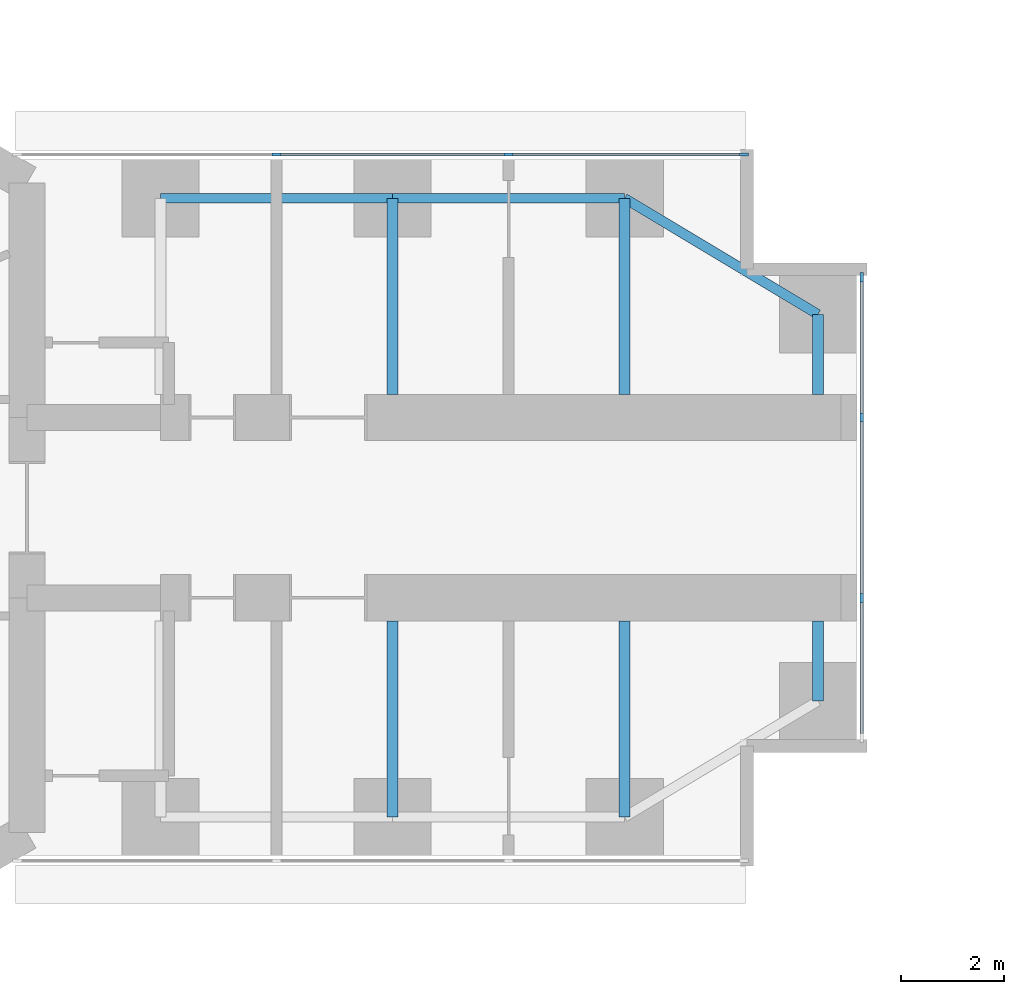
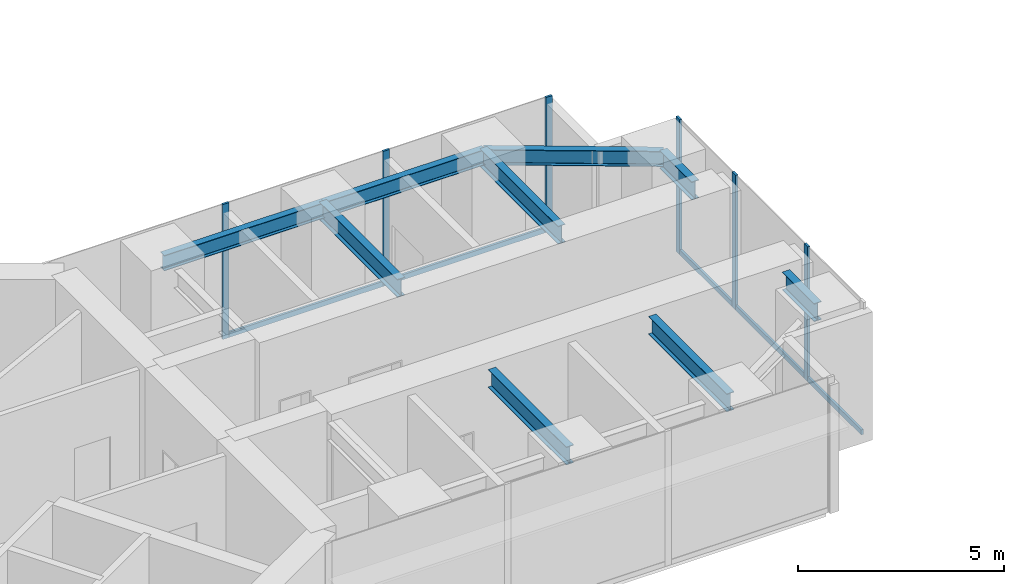
# One storey, part 8 of 22: 11 members, 9 beams, 2 elements without a shape of their own.
"""IFC4 building model written with IfcOpenShell, lengths in metres."""

from ifc_helpers import new_model, si_unit, direction, frame, origin, origin_2d, place, context, subcontext, project, spatial, rectangle, i_section, extrude, material, material_profile, profile_set, type_object, element, aggregate, save


model = new_model("IFC4")

# Units and contexts
model_context = context("Model", 3, precision=1e-05, world=origin(), true_north=direction((0.0, 1.0)))
body_context = subcontext(model_context, "Body", "Model", "MODEL_VIEW")
ifc_project = project(units=[si_unit("LENGTHUNIT", "METRE"), si_unit("AREAUNIT", "SQUARE_METRE"), si_unit("VOLUMEUNIT", "CUBIC_METRE"), si_unit("PLANEANGLEUNIT", "RADIAN"), si_unit("MASSUNIT", "GRAM", prefix="KILO")], contexts=[model_context])

# Site, building, storey
site_placement = place(None, origin())
site = spatial("IfcSite", under=ifc_project, at=site_placement, CompositionType="ELEMENT")
building_placement = place(site_placement, origin())
building = spatial("IfcBuilding", under=site, at=building_placement, Name="Upepo Twin Towers", CompositionType="ELEMENT")
storey_placement = place(building_placement, frame((0.0, 0.0, 36.5)))
storey = spatial("IfcBuildingStorey", under=building, at=storey_placement, Name="L08", CompositionType="ELEMENT", Elevation=36.5)

# Beams
ifc_material_1 = material(Name="Steel S355", Category="steel")
ifc_material_profile_1 = material_profile(ifc_material_1, i_section(OverallWidth=0.1904296875, OverallDepth=0.45703125, WebThickness=0.009033203125, FlangeThickness=0.014404296875, FilletRadius=0.01025390625, at=origin_2d()), Name="UB 457x191x74")
ifc_profile_set_1 = profile_set([ifc_material_profile_1], Name="Steel S355")
beam_type_1 = type_object("IfcBeamType", Name="Beam UB 457x191x74", PredefinedType="BEAM", material=ifc_profile_set_1)
for number, where, z_axis, x_axis, name in (
    (1, (13.5, 6.0, 3.571533203125), (1.0, 0.0, 0.0), (0.0, 1.0, 0.0), "T1 edge beam AL 13.5-18.0"),
    (2, (18.0, 6.0, 3.571533203125), (1.0, 0.0, 0.0), (0.0, 1.0, 0.0), "T1 edge beam AL 18.0-22.5"),
):
    element("IfcBeam", number, at=place(storey_placement, frame(where, z_axis=z_axis, x_axis=x_axis)), inside=storey, type_object=beam_type_1, Name=name, PredefinedType="BEAM", context=body_context, shape_type="SweptSolid", body=[
        extrude(i_section(OverallWidth=0.1904296875, OverallDepth=0.45703125, WebThickness=0.009033203125, FlangeThickness=0.014404296875, FilletRadius=0.01025390625, at=origin_2d()), origin(), (0.0, 0.0, 1.0), 4.5),
    ])
beam_placement = place(storey_placement, frame((22.5, 6.0, 3.571533203125), z_axis=(0.857492925713, -0.514495755428, 0.0), x_axis=(0.514495755428, 0.857492925713, 0.0)))
element("IfcBeam", 3, at=beam_placement, inside=storey, type_object=beam_type_1, Name="T1 nose edge beam AL", PredefinedType="BEAM", context=body_context, shape_type="SweptSolid", body=[
    extrude(i_section(OverallWidth=0.1904296875, OverallDepth=0.45703125, WebThickness=0.009033203125, FlangeThickness=0.014404296875, FilletRadius=0.01025390625, at=origin_2d()), origin(), (0.0, 0.0, 1.0), 4.373291015625),
])
ifc_material_2 = material(Name="Steel S355", Category="steel")
ifc_material_profile_2 = material_profile(ifc_material_2, i_section(OverallWidth=0.2099609375, OverallDepth=0.53662109375, WebThickness=0.0107421875, FlangeThickness=0.017333984375, FilletRadius=0.0126953125, at=origin_2d()), Name="UB 533x210x101")
ifc_profile_set_2 = profile_set([ifc_material_profile_2], Name="Steel S355")
beam_type_2 = type_object("IfcBeamType", Name="Beam UB 533x210x101", PredefinedType="BEAM", material=ifc_profile_set_2)
for number, where, z_axis, x_axis, name in (
    (4, (26.25, 3.75, 3.53173828125), (0.0, -1.0, 0.0), (1.0, 0.0, 0.0), "T1 nose beam AL"),
    (5, (26.25, -3.75, 3.53173828125), (0.0, 1.0, 0.0), (-1.0, 0.0, 0.0), "T1 nose beam AR"),
):
    element("IfcBeam", number, at=place(storey_placement, frame(where, z_axis=z_axis, x_axis=x_axis)), inside=storey, type_object=beam_type_2, Name=name, PredefinedType="BEAM", context=body_context, shape_type="SweptSolid", body=[
        extrude(i_section(OverallWidth=0.2099609375, OverallDepth=0.53662109375, WebThickness=0.0107421875, FlangeThickness=0.017333984375, FilletRadius=0.0126953125, at=origin_2d()), origin(), (0.0, 0.0, 1.0), 1.550048828125),
    ])
ifc_material_3 = material(Name="Steel S355", Category="steel")
ifc_material_profile_3 = material_profile(ifc_material_3, i_section(OverallWidth=0.209228515625, OverallDepth=0.533203125, WebThickness=0.010009765625, FlangeThickness=0.015625, FilletRadius=0.0126953125, at=origin_2d()), Name="UB 533x210x92")
ifc_profile_set_3 = profile_set([ifc_material_profile_3], Name="Steel S355")
beam_type_3 = type_object("IfcBeamType", Name="Beam UB 533x210x92", PredefinedType="BEAM", material=ifc_profile_set_3)
for number, where, z_axis, x_axis, name in (
    (6, (18.0, 6.0, 3.533447265625), (0.0, -1.0, 0.0), (1.0, 0.0, 0.0), "T1 girder AL at 18.0"),
    (7, (22.5, 6.0, 3.533447265625), (0.0, -1.0, 0.0), (1.0, 0.0, 0.0), "T1 girder AL at 22.5"),
    (8, (18.0, -6.0, 3.533447265625), (0.0, 1.0, 0.0), (-1.0, 0.0, 0.0), "T1 girder AR at 18.0"),
    (9, (22.5, -6.0, 3.533447265625), (0.0, 1.0, 0.0), (-1.0, 0.0, 0.0), "T1 girder AR at 22.5"),
):
    element("IfcBeam", number, at=place(storey_placement, frame(where, z_axis=z_axis, x_axis=x_axis)), inside=storey, type_object=beam_type_3, Name=name, PredefinedType="BEAM", context=body_context, shape_type="SweptSolid", body=[
        extrude(i_section(OverallWidth=0.209228515625, OverallDepth=0.533203125, WebThickness=0.010009765625, FlangeThickness=0.015625, FilletRadius=0.0126953125, at=origin_2d()), origin(), (0.0, 0.0, 1.0), 3.800048828125),
    ])

# Curtain wall, members
ifc_material_4 = material(Name="Aluminium and fritted glass", Category="aluminium")
curtain_wall_type = type_object("IfcCurtainWallType", Name="Tower curtain wall TW1, fritted glass", PredefinedType="NOTDEFINED", material=ifc_material_4)
curtain_wall_1_placement = place(storey_placement, origin())
curtain_wall_1 = element("IfcCurtainWall", 10, at=curtain_wall_1_placement, inside=storey, type_object=curtain_wall_type, Name="T1 L08 wing A flank L curtain wall", PredefinedType="NOTDEFINED")
ifc_material_5 = material(Name="Aluminium mullion", Category="aluminium")
ifc_material_profile_4 = material_profile(ifc_material_5, rectangle(XDim=0.06494140625, YDim=0.179931640625, at=origin_2d()), Name="MULLION 65x180")
ifc_profile_set_4 = profile_set([ifc_material_profile_4], Name="Aluminium mullion")
member_type_1 = type_object("IfcMemberType", Name="Mullion 65x180 TW1", PredefinedType="MULLION", material=ifc_profile_set_4)
member_1_placement = place(storey_placement, frame((15.75, 6.85009765625, 0.0), z_axis=(0.0, 0.0, 1.0), x_axis=(0.0, 1.0, 0.0)))
member_1 = element("IfcMember", 11, at=member_1_placement, type_object=member_type_1, Name="T1 L08 wing A flank L curtain wall mullion 2", PredefinedType="MULLION", context=body_context, shape_type="SweptSolid", body=[
    extrude(rectangle(XDim=0.06494140625, YDim=0.179931640625, at=origin_2d()), origin(), (0.0, 0.0, 1.0), 4.0),
])
member_2_placement = place(storey_placement, frame((20.25, 6.85009765625, 0.0), z_axis=(0.0, 0.0, 1.0), x_axis=(0.0, 1.0, 0.0)))
member_2 = element("IfcMember", 12, at=member_2_placement, type_object=member_type_1, Name="T1 L08 wing A flank L curtain wall mullion 3", PredefinedType="MULLION", context=body_context, shape_type="SweptSolid", body=[
    extrude(rectangle(XDim=0.06494140625, YDim=0.179931640625, at=origin_2d()), origin(), (0.0, 0.0, 1.0), 4.0),
])
member_3_placement = place(storey_placement, frame((24.8173828125, 6.85009765625, 0.0), z_axis=(0.0, 0.0, 1.0), x_axis=(0.0, 1.0, 0.0)))
member_3 = element("IfcMember", 13, at=member_3_placement, type_object=member_type_1, Name="T1 L08 wing A flank L curtain wall mullion 4", PredefinedType="MULLION", context=body_context, shape_type="SweptSolid", body=[
    extrude(rectangle(XDim=0.06494140625, YDim=0.179931640625, at=origin_2d()), origin(), (0.0, 0.0, 1.0), 4.0),
])

curtain_wall_2_placement = place(storey_placement, origin())
curtain_wall_2 = element("IfcCurtainWall", 14, at=curtain_wall_2_placement, inside=storey, type_object=curtain_wall_type, Name="T1 L08 wing A nose curtain wall", PredefinedType="NOTDEFINED")
member_4_placement = place(storey_placement, frame((27.10009765625, -1.75, 0.0), z_axis=(0.0, 0.0, 1.0), x_axis=(-1.0, 0.0, 0.0)))
member_4 = element("IfcMember", 15, at=member_4_placement, type_object=member_type_1, Name="T1 L08 wing A nose curtain wall mullion 2", PredefinedType="MULLION", context=body_context, shape_type="SweptSolid", body=[
    extrude(rectangle(XDim=0.06494140625, YDim=0.179931640625, at=origin_2d()), origin(), (0.0, 0.0, 1.0), 4.0),
])
member_5_placement = place(storey_placement, frame((27.10009765625, 1.75, 0.0), z_axis=(0.0, 0.0, 1.0), x_axis=(-1.0, 0.0, 0.0)))
member_5 = element("IfcMember", 16, at=member_5_placement, type_object=member_type_1, Name="T1 L08 wing A nose curtain wall mullion 3", PredefinedType="MULLION", context=body_context, shape_type="SweptSolid", body=[
    extrude(rectangle(XDim=0.06494140625, YDim=0.179931640625, at=origin_2d()), origin(), (0.0, 0.0, 1.0), 4.0),
])
member_6_placement = place(storey_placement, frame((27.10009765625, 4.467529296875, 0.0), z_axis=(0.0, 0.0, 1.0), x_axis=(-1.0, 0.0, 0.0)))
member_6 = element("IfcMember", 17, at=member_6_placement, type_object=member_type_1, Name="T1 L08 wing A nose curtain wall mullion 4", PredefinedType="MULLION", context=body_context, shape_type="SweptSolid", body=[
    extrude(rectangle(XDim=0.06494140625, YDim=0.179931640625, at=origin_2d()), origin(), (0.0, 0.0, 1.0), 4.0),
])

# Member
ifc_material_6 = material(Name="Aluminium transom", Category="aluminium")
ifc_material_profile_5 = material_profile(ifc_material_6, rectangle(XDim=0.06494140625, YDim=0.14990234375, at=origin_2d()), Name="TRANSOM 65x150")
ifc_profile_set_5 = profile_set([ifc_material_profile_5], Name="Aluminium transom")
member_type_2 = type_object("IfcMemberType", Name="Transom 65x150 TW1", PredefinedType="USERDEFINED", material=ifc_profile_set_5)
member_7_placement = place(storey_placement, frame((15.782470703125, 6.85009765625, 0.074951171875), z_axis=(1.0, 0.0, 0.0), x_axis=(0.0, 1.0, 0.0)))
member_7 = element("IfcMember", 18, at=member_7_placement, type_object=member_type_2, Name="T1 L08 wing A flank L curtain wall transom 2", ObjectType="TRANSOM", PredefinedType="USERDEFINED", context=body_context, shape_type="SweptSolid", body=[
    extrude(rectangle(XDim=0.06494140625, YDim=0.14990234375, at=origin_2d()), origin(), (0.0, 0.0, 1.0), 4.43505859375),
])

member_8_placement = place(storey_placement, frame((20.282470703125, 6.85009765625, 0.074951171875), z_axis=(1.0, 0.0, 0.0), x_axis=(0.0, 1.0, 0.0)))
member_8 = element("IfcMember", 19, at=member_8_placement, type_object=member_type_2, Name="T1 L08 wing A flank L curtain wall transom 3", ObjectType="TRANSOM", PredefinedType="USERDEFINED", context=body_context, shape_type="SweptSolid", body=[
    extrude(rectangle(XDim=0.06494140625, YDim=0.14990234375, at=origin_2d()), origin(), (0.0, 0.0, 1.0), 4.50244140625),
])

aggregate(curtain_wall_1, [member_1, member_2, member_3, member_7, member_8])

member_9_placement = place(storey_placement, frame((27.10009765625, -4.43505859375, 0.074951171875), z_axis=(0.0, 1.0, 0.0), x_axis=(-1.0, 0.0, 0.0)))
member_9 = element("IfcMember", 20, at=member_9_placement, type_object=member_type_2, Name="T1 L08 wing A nose curtain wall transom 1", ObjectType="TRANSOM", PredefinedType="USERDEFINED", context=body_context, shape_type="SweptSolid", body=[
    extrude(rectangle(XDim=0.06494140625, YDim=0.14990234375, at=origin_2d()), origin(), (0.0, 0.0, 1.0), 2.652587890625),
])

member_10_placement = place(storey_placement, frame((27.10009765625, -1.717529296875, 0.074951171875), z_axis=(0.0, 1.0, 0.0), x_axis=(-1.0, 0.0, 0.0)))
member_10 = element("IfcMember", 21, at=member_10_placement, type_object=member_type_2, Name="T1 L08 wing A nose curtain wall transom 2", ObjectType="TRANSOM", PredefinedType="USERDEFINED", context=body_context, shape_type="SweptSolid", body=[
    extrude(rectangle(XDim=0.06494140625, YDim=0.14990234375, at=origin_2d()), origin(), (0.0, 0.0, 1.0), 3.43505859375),
])

member_11_placement = place(storey_placement, frame((27.10009765625, 1.782470703125, 0.074951171875), z_axis=(0.0, 1.0, 0.0), x_axis=(-1.0, 0.0, 0.0)))
member_11 = element("IfcMember", 22, at=member_11_placement, type_object=member_type_2, Name="T1 L08 wing A nose curtain wall transom 3", ObjectType="TRANSOM", PredefinedType="USERDEFINED", context=body_context, shape_type="SweptSolid", body=[
    extrude(rectangle(XDim=0.06494140625, YDim=0.14990234375, at=origin_2d()), origin(), (0.0, 0.0, 1.0), 2.652587890625),
])

aggregate(curtain_wall_2, [member_4, member_5, member_6, member_9, member_10, member_11])

save(model, "model.ifc")
